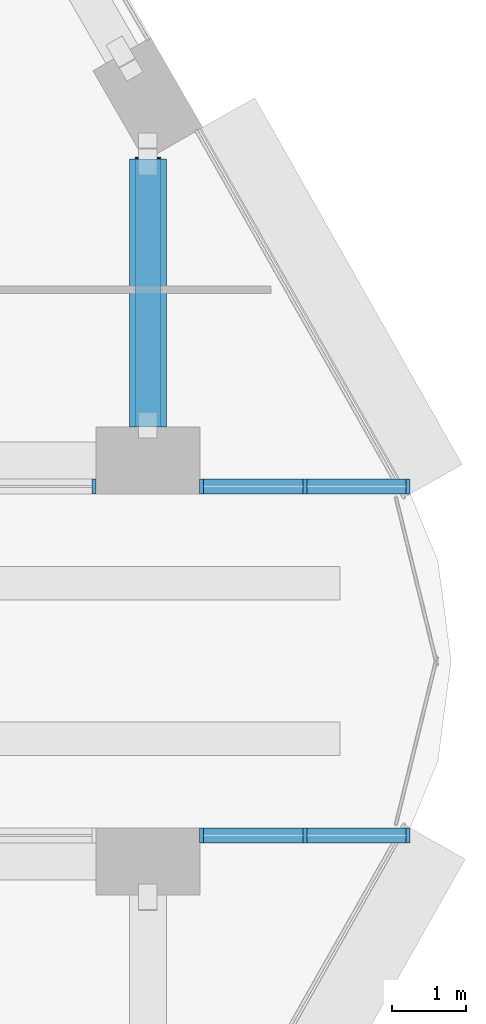
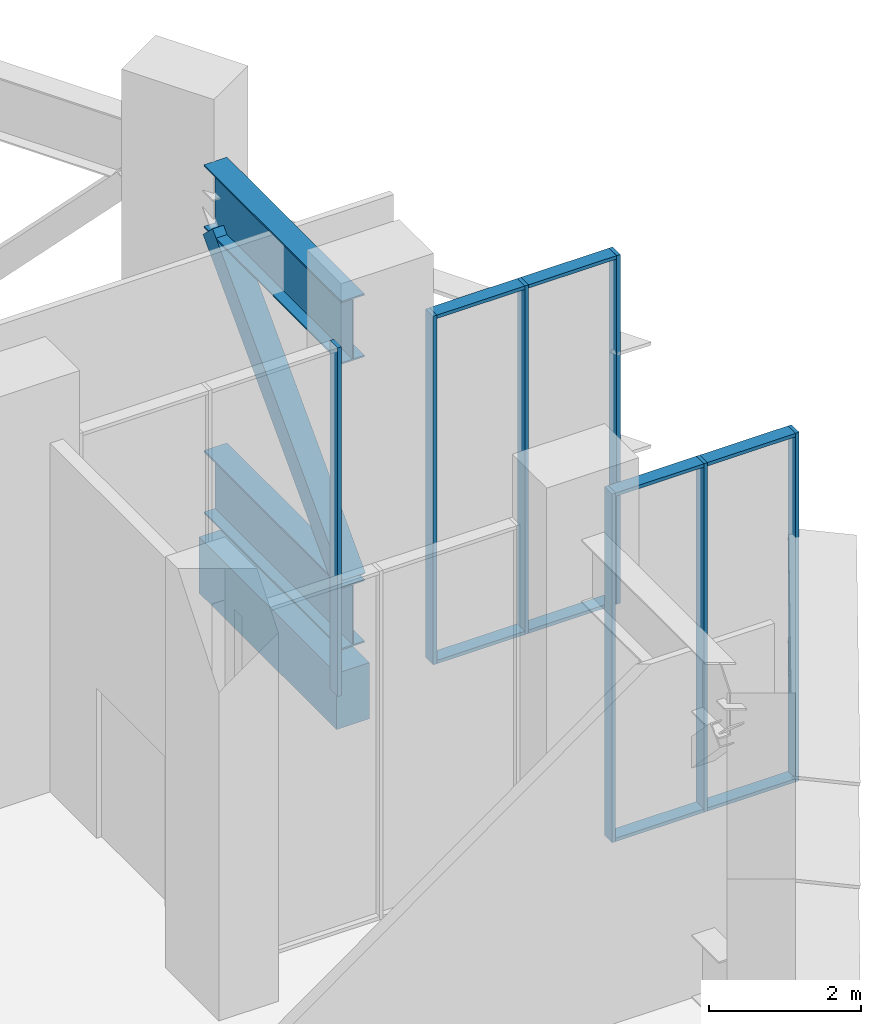
# One storey, part 5 of 21: 18 members, 1 beam, 3 elements without a shape of their own.
"""IFC4 building model written with IfcOpenShell, lengths in metres."""

import ifcopenshell
import ifcopenshell.guid

model = None  # the IFC model being written
_history = None  # IfcOwnerHistory: only IFC2X3 demands one
_inside = {}  # id of a spatial element -> (the spatial element, [elements in it])
_under = {}  # id of a project, library or spatial element -> (it, [spatial elements below it])
_declared = {}  # id of a project -> (the project, [libraries it declares])
_typed = {}  # id of a type object -> (the type object, [elements of that type])
_made_of = {}  # id of a material, layer set ... -> (it, [elements and type objects made of it])


def new_model(schema):
    """Start an empty IFC model of exactly this schema.

    Asked for "IFC4X3", IfcOpenShell would pick the latest addendum, in which some entities
    have other attributes; the version numbers below select the first issue.
    IFC2X3 requires an IfcOwnerHistory on every rooted entity: one is made here for all.
    """
    global model, _history
    if schema == "IFC4X3":
        model = ifcopenshell.file(schema_version=(4, 3, 0, 0))
    else:
        model = ifcopenshell.file(schema=schema)
    _inside.clear()
    _under.clear()
    _declared.clear()
    _typed.clear()
    _made_of.clear()
    _history = None
    if model.schema == "IFC2X3":
        org = make("IfcOrganization", Name="unknown")
        user = make(
            "IfcPersonAndOrganization",
            ThePerson=make("IfcPerson", FamilyName="unknown"),
            TheOrganization=org,
        )
        app = make(
            "IfcApplication",
            ApplicationDeveloper=org,
            Version="unknown",
            ApplicationFullName="unknown",
            ApplicationIdentifier="unknown",
        )
        _history = make(
            "IfcOwnerHistory",
            OwningUser=user,
            OwningApplication=app,
            ChangeAction="ADDED",
            CreationDate=0,
        )
    return model


def make(cls, **values):
    """One entity of the class cls with the attributes given. An attribute that is None is left unset."""
    return model.create_entity(
        cls, **{name: value for name, value in values.items() if value is not None}
    )


def rooted(cls, **values):
    """An entity with a GlobalId (a new one), such as an element, a storey or a relation."""
    return make(cls, GlobalId=ifcopenshell.guid.new(), OwnerHistory=_history, **values)


def si_unit(unit_type, name, prefix=None):
    """IfcSIUnit, for example si_unit("LENGTHUNIT", "METRE", prefix="MILLI")."""
    return make("IfcSIUnit", UnitType=unit_type, Prefix=prefix, Name=name)


def assignment(units):
    """IfcUnitAssignment: the units of a project."""
    return None if units is None else make("IfcUnitAssignment", Units=units)


def point(xyz):
    """IfcCartesianPoint."""
    return None if xyz is None else make("IfcCartesianPoint", Coordinates=xyz)


def direction(xyz):
    """IfcDirection."""
    return None if xyz is None else make("IfcDirection", DirectionRatios=xyz)


def frame(location, z_axis=None, x_axis=None):
    """IfcAxis2Placement3D, a coordinate frame: its origin and axes. An axis left out is left unset."""
    return make(
        "IfcAxis2Placement3D",
        Location=point(location),
        Axis=direction(z_axis),
        RefDirection=direction(x_axis),
    )


def frame_2d(location, x_axis=None):
    """IfcAxis2Placement2D, a coordinate frame in the plane: its origin and x axis."""
    return make(
        "IfcAxis2Placement2D", Location=point(location), RefDirection=direction(x_axis)
    )


def origin():
    """The frame at (0, 0, 0) with its axes left unset."""
    return frame((0.0, 0.0, 0.0))


def origin_2d():
    """The frame at (0, 0) in the plane with its x axis left unset."""
    return frame_2d((0.0, 0.0))


def place(relative_to, where):
    """IfcLocalPlacement: puts the frame where relative to a parent placement (None: the world)."""
    return make(
        "IfcLocalPlacement", PlacementRelTo=relative_to, RelativePlacement=where
    )


def context(
    kind, dimensions, precision=None, world=None, true_north=None, identifier=None
):
    """IfcGeometricRepresentationContext, for example the 3D "Model" context."""
    return make(
        "IfcGeometricRepresentationContext",
        ContextIdentifier=identifier,
        ContextType=kind,
        CoordinateSpaceDimension=dimensions,
        Precision=precision,
        WorldCoordinateSystem=world,
        TrueNorth=true_north,
    )


def subcontext(parent, identifier, kind, view, scale=None):
    """IfcGeometricRepresentationSubContext, for example "Body" below "Model"."""
    return make(
        "IfcGeometricRepresentationSubContext",
        ContextIdentifier=identifier,
        ContextType=kind,
        ParentContext=parent,
        TargetScale=scale,
        TargetView=view,
    )


def project(units=None, contexts=None):
    """IfcProject with its units and contexts."""
    return rooted(
        "IfcProject",
        Name="project",
        RepresentationContexts=contexts,
        UnitsInContext=assignment(units),
    )


def spatial(cls, under=None, at=None, **own):
    """A site, building, storey or space (cls), placed at a placement, below another one or the project."""
    s = rooted(cls, ObjectPlacement=at, **own)
    if under is not None:
        _under.setdefault(under.id(), (under, []))[1].append(s)
    return s


def profile(cls, at=None, kind="AREA", **sizes):
    """A parametric profile (cls). Its sizes go by their IFC names, for example OverallWidth=200.0."""
    return make(cls, ProfileType=kind, Position=at, **sizes)


def rectangle(**sizes):
    """IfcRectangleProfileDef."""
    return profile("IfcRectangleProfileDef", **sizes)


def hollow_rectangle(**sizes):
    """IfcRectangleHollowProfileDef."""
    return profile("IfcRectangleHollowProfileDef", **sizes)


def i_section(**sizes):
    """IfcIShapeProfileDef."""
    return profile("IfcIShapeProfileDef", **sizes)


def extrude(swept, where, along, depth):
    """IfcExtrudedAreaSolid: the profile swept, set in the frame where, extruded along a direction by depth."""
    return make(
        "IfcExtrudedAreaSolid",
        SweptArea=swept,
        Position=where,
        ExtrudedDirection=direction(along),
        Depth=depth,
    )


def shape(context_of_items, identifier, shape_type, items):
    """IfcShapeRepresentation: the items that make up one representation, for example the "Body"."""
    return make(
        "IfcShapeRepresentation",
        ContextOfItems=context_of_items,
        RepresentationIdentifier=identifier,
        RepresentationType=shape_type,
        Items=items,
    )


def material(Name=None, Category=None):
    """IfcMaterial."""
    return make("IfcMaterial", Name=Name, Category=Category)


def layer(
    of_material, thickness, ventilated=None, Name=None, Category=None, Priority=None
):
    """IfcMaterialLayer: one layer of a wall or slab, of a material (None: an air gap)."""
    return make(
        "IfcMaterialLayer",
        Material=of_material,
        LayerThickness=thickness,
        IsVentilated=ventilated,
        Name=Name,
        Category=Category,
        Priority=Priority,
    )


def layer_set(layers, Name=None):
    """IfcMaterialLayerSet."""
    return make("IfcMaterialLayerSet", MaterialLayers=layers, LayerSetName=Name)


def material_profile(
    of_material, cross_section, Name=None, Category=None, Priority=None
):
    """IfcMaterialProfile: a cross section and its material."""
    return make(
        "IfcMaterialProfile",
        Name=Name,
        Material=of_material,
        Profile=cross_section,
        Priority=Priority,
        Category=Category,
    )


def profile_set(profiles, Name=None, composite=None):
    """IfcMaterialProfileSet."""
    return make(
        "IfcMaterialProfileSet",
        Name=Name,
        MaterialProfiles=profiles,
        CompositeProfile=composite,
    )


def made_of(thing, what):
    """Note that an element or type object is made of a material, layer set ...; save() writes the relation."""
    if what is not None:
        _made_of.setdefault(what.id(), (what, []))[1].append(thing)
    return thing


def type_object(cls, material=None, **own):
    """A type object (cls), such as IfcWallType, which elements share."""
    return made_of(rooted(cls, **own), material)


def element(
    cls,
    number,
    at=None,
    inside=None,
    cuts=None,
    type_object=None,
    material=None,
    context=None,
    identifier="Body",
    shape_type=None,
    held_by="IfcProductDefinitionShape",
    body=None,
    shapes=None,
    **own,
):
    """One element of the class cls, such as IfcWall. Its Tag is "e" and its number.

    at: its placement. inside: the storey or other place that contains it. cuts: it is an
    opening in that element (IfcRelVoidsElement). A single representation is given by context,
    identifier, shape_type and body (its items); several are given by shapes. held_by: the class
    of the entity that holds the representations. save() writes the other relations.
    """
    e = rooted(cls, Tag="e%d" % number, ObjectPlacement=at, **own)
    if body is not None:
        shapes = [shape(context, identifier, shape_type, body)]
    if shapes is not None:
        e.Representation = make(held_by, Representations=shapes)
    if inside is not None:
        _inside.setdefault(inside.id(), (inside, []))[1].append(e)
    if cuts is not None:
        rooted(
            "IfcRelVoidsElement", RelatingBuildingElement=cuts, RelatedOpeningElement=e
        )
    if type_object is not None:
        _typed.setdefault(type_object.id(), (type_object, []))[1].append(e)
    return made_of(e, material)


def aggregate(whole, parts):
    """IfcRelAggregates: a whole, such as a stair, and the parts it consists of."""
    return rooted("IfcRelAggregates", RelatingObject=whole, RelatedObjects=parts)


def save(model, path):
    """Write the relations noted so far, then the file.

    IfcRelAggregates (storeys below a building ...), IfcRelContainedInSpatialStructure (elements
    in a storey), IfcRelDefinesByType, IfcRelAssociatesMaterial and IfcRelDeclares: one each for
    every whole, place, type object, material and project.
    """
    for whole, parts in _under.values():
        aggregate(whole, parts)
    for where, things in _inside.values():
        rooted(
            "IfcRelContainedInSpatialStructure",
            RelatedElements=things,
            RelatingStructure=where,
        )
    for kind, things in _typed.values():
        rooted("IfcRelDefinesByType", RelatedObjects=things, RelatingType=kind)
    for what, things in _made_of.values():
        rooted("IfcRelAssociatesMaterial", RelatedObjects=things, RelatingMaterial=what)
    for by, libraries in _declared.values():
        rooted("IfcRelDeclares", RelatingContext=by, RelatedDefinitions=libraries)
    model.write(path)


model = new_model("IFC4")

# Units and contexts
model_context = context("Model", 3, precision=1e-05, world=origin(), true_north=direction((0.0, 1.0)))
body_context = subcontext(model_context, "Body", "Model", "MODEL_VIEW")
ifc_project = project(units=[si_unit("LENGTHUNIT", "METRE"), si_unit("AREAUNIT", "SQUARE_METRE"), si_unit("VOLUMEUNIT", "CUBIC_METRE"), si_unit("PLANEANGLEUNIT", "RADIAN"), si_unit("MASSUNIT", "GRAM", prefix="KILO")], contexts=[model_context])

# Site, building, storey
site_placement = place(None, origin())
site = spatial("IfcSite", under=ifc_project, at=site_placement, CompositionType="ELEMENT")
building_placement = place(site_placement, origin())
building = spatial("IfcBuilding", under=site, at=building_placement, Name="Nakaniwa Court", CompositionType="ELEMENT")
storey_placement = place(building_placement, frame((0.0, 0.0, 120.60009765625)))
storey = spatial("IfcBuildingStorey", under=building, at=storey_placement, Name="S2", CompositionType="ELEMENT", Elevation=120.60009765625)

# Curtain wall, member
ifc_material_1 = material(Name="Black anodised aluminium frame with dark low-E laminated double glazing", Category="aluminium")
ifc_layer = layer(ifc_material_1, 0.199951171875)
ifc_layer_set = layer_set([ifc_layer], Name="Black anodised aluminium frame with dark low-E laminated double glazing")
curtain_wall_type = type_object("IfcCurtainWallType", Name="Amenity and sky level curtain wall", PredefinedType="NOTDEFINED", material=ifc_layer_set)
curtain_wall_1_placement = place(storey_placement, origin())
curtain_wall_1 = element("IfcCurtainWall", 1, at=curtain_wall_1_placement, inside=storey, type_object=curtain_wall_type, Name="S2 curtain wall CW3 00", PredefinedType="NOTDEFINED")
ifc_material_2 = material(Name="Black anodised aluminium extrusion", Category="aluminium")
ifc_material_profile_1 = material_profile(ifc_material_2, rectangle(XDim=0.199951171875, YDim=0.054931640625, at=origin_2d()), Name="Amenity and sky level curtain wall mullion 55x200")
ifc_profile_set_1 = profile_set([ifc_material_profile_1], Name="Black anodised aluminium extrusion")
member_type_1 = type_object("IfcMemberType", Name="Amenity and sky level curtain wall mullion 55x200", PredefinedType="MULLION", material=ifc_profile_set_1)
member_1_placement = place(storey_placement, frame((102.099365234375, 82.35009765625, 0.0), z_axis=(0.0, 0.0, 1.0), x_axis=(0.0, 1.0, 0.0)))
member_1 = element("IfcMember", 2, at=member_1_placement, type_object=member_type_1, Name="CW3 mullion 3", PredefinedType="MULLION", context=body_context, shape_type="SweptSolid", body=[
    extrude(rectangle(XDim=0.199951171875, YDim=0.054931640625, at=origin_2d()), origin(), (0.0, 0.0, 1.0), 5.58984375),
])
aggregate(curtain_wall_1, [member_1])

# Curtain wall, members
curtain_wall_2_placement = place(storey_placement, origin())
curtain_wall_2 = element("IfcCurtainWall", 3, at=curtain_wall_2_placement, inside=storey, type_object=curtain_wall_type, Name="S2 curtain wall CW3 01", PredefinedType="NOTDEFINED")
member_2_placement = place(storey_placement, frame((103.54638671875, 82.35009765625, 0.0), z_axis=(0.0, 0.0, 1.0), x_axis=(0.0, 1.0, 0.0)))
member_2 = element("IfcMember", 4, at=member_2_placement, type_object=member_type_1, Name="CW3 mullion 1", PredefinedType="MULLION", context=body_context, shape_type="SweptSolid", body=[
    extrude(rectangle(XDim=0.199951171875, YDim=0.054931640625, at=origin_2d()), origin(), (0.0, 0.0, 1.0), 5.58984375),
])
member_3_placement = place(storey_placement, frame((104.937744140625, 82.35009765625, 0.0), z_axis=(0.0, 0.0, 1.0), x_axis=(0.0, 1.0, 0.0)))
member_3 = element("IfcMember", 5, at=member_3_placement, type_object=member_type_1, Name="CW3 mullion 2", PredefinedType="MULLION", context=body_context, shape_type="SweptSolid", body=[
    extrude(rectangle(XDim=0.199951171875, YDim=0.054931640625, at=origin_2d()), origin(), (0.0, 0.0, 1.0), 5.58984375),
])
member_4_placement = place(storey_placement, frame((106.3291015625, 82.35009765625, 0.0), z_axis=(0.0, 0.0, 1.0), x_axis=(0.0, 1.0, 0.0)))
member_4 = element("IfcMember", 6, at=member_4_placement, type_object=member_type_1, Name="CW3 mullion 3", PredefinedType="MULLION", context=body_context, shape_type="SweptSolid", body=[
    extrude(rectangle(XDim=0.199951171875, YDim=0.054931640625, at=origin_2d()), origin(), (0.0, 0.0, 1.0), 5.58984375),
])

curtain_wall_3_placement = place(storey_placement, origin())
curtain_wall_3 = element("IfcCurtainWall", 7, at=curtain_wall_3_placement, inside=storey, type_object=curtain_wall_type, Name="S2 curtain wall CW3 33", PredefinedType="NOTDEFINED")
member_5_placement = place(storey_placement, frame((106.3291015625, 77.64990234375, 0.0), z_axis=(0.0, 0.0, 1.0), x_axis=(0.0, -1.0, 0.0)))
member_5 = element("IfcMember", 8, at=member_5_placement, type_object=member_type_1, Name="CW3 mullion 1", PredefinedType="MULLION", context=body_context, shape_type="SweptSolid", body=[
    extrude(rectangle(XDim=0.199951171875, YDim=0.054931640625, at=origin_2d()), origin(), (0.0, 0.0, 1.0), 5.58984375),
])
member_6_placement = place(storey_placement, frame((104.937744140625, 77.64990234375, 0.0), z_axis=(0.0, 0.0, 1.0), x_axis=(0.0, -1.0, 0.0)))
member_6 = element("IfcMember", 9, at=member_6_placement, type_object=member_type_1, Name="CW3 mullion 2", PredefinedType="MULLION", context=body_context, shape_type="SweptSolid", body=[
    extrude(rectangle(XDim=0.199951171875, YDim=0.054931640625, at=origin_2d()), origin(), (0.0, 0.0, 1.0), 5.58984375),
])
member_7_placement = place(storey_placement, frame((103.54638671875, 77.64990234375, 0.0), z_axis=(0.0, 0.0, 1.0), x_axis=(0.0, -1.0, 0.0)))
member_7 = element("IfcMember", 10, at=member_7_placement, type_object=member_type_1, Name="CW3 mullion 3", PredefinedType="MULLION", context=body_context, shape_type="SweptSolid", body=[
    extrude(rectangle(XDim=0.199951171875, YDim=0.054931640625, at=origin_2d()), origin(), (0.0, 0.0, 1.0), 5.58984375),
])

# Member
ifc_material_profile_2 = material_profile(ifc_material_2, rectangle(XDim=0.199951171875, YDim=0.054931640625, at=origin_2d()), Name="Amenity and sky level curtain wall transom 55x200")
ifc_profile_set_2 = profile_set([ifc_material_profile_2], Name="Black anodised aluminium extrusion")
member_type_2 = type_object("IfcMemberType", Name="Amenity and sky level curtain wall transom 55x200", PredefinedType="USERDEFINED", material=ifc_profile_set_2)
member_8_placement = place(storey_placement, frame((103.573974609375, 82.35009765625, 0.02734375), z_axis=(1.0, 0.0, 0.0), x_axis=(0.0, 1.0, 0.0)))
member_8 = element("IfcMember", 11, at=member_8_placement, type_object=member_type_2, Name="CW3 transom 1.1", ObjectType="TRANSOM", PredefinedType="USERDEFINED", context=body_context, shape_type="SweptSolid", body=[
    extrude(rectangle(XDim=0.199951171875, YDim=0.054931640625, at=origin_2d()), origin(), (0.0, 0.0, 1.0), 1.33642578125),
])

member_9_placement = place(storey_placement, frame((103.573974609375, 82.35009765625, 5.5625), z_axis=(1.0, 0.0, 0.0), x_axis=(0.0, 1.0, 0.0)))
member_9 = element("IfcMember", 12, at=member_9_placement, type_object=member_type_2, Name="CW3 transom 1.2", ObjectType="TRANSOM", PredefinedType="USERDEFINED", context=body_context, shape_type="SweptSolid", body=[
    extrude(rectangle(XDim=0.199951171875, YDim=0.054931640625, at=origin_2d()), origin(), (0.0, 0.0, 1.0), 1.33642578125),
])

member_10_placement = place(storey_placement, frame((104.96533203125, 82.35009765625, 0.02734375), z_axis=(1.0, 0.0, 0.0), x_axis=(0.0, 1.0, 0.0)))
member_10 = element("IfcMember", 13, at=member_10_placement, type_object=member_type_2, Name="CW3 transom 2.1", ObjectType="TRANSOM", PredefinedType="USERDEFINED", context=body_context, shape_type="SweptSolid", body=[
    extrude(rectangle(XDim=0.199951171875, YDim=0.054931640625, at=origin_2d()), origin(), (0.0, 0.0, 1.0), 1.33642578125),
])

member_11_placement = place(storey_placement, frame((104.96533203125, 82.35009765625, 5.5625), z_axis=(1.0, 0.0, 0.0), x_axis=(0.0, 1.0, 0.0)))
member_11 = element("IfcMember", 14, at=member_11_placement, type_object=member_type_2, Name="CW3 transom 2.2", ObjectType="TRANSOM", PredefinedType="USERDEFINED", context=body_context, shape_type="SweptSolid", body=[
    extrude(rectangle(XDim=0.199951171875, YDim=0.054931640625, at=origin_2d()), origin(), (0.0, 0.0, 1.0), 1.33642578125),
])

aggregate(curtain_wall_2, [member_2, member_3, member_4, member_8, member_9, member_10, member_11])

member_12_placement = place(storey_placement, frame((106.3017578125, 77.64990234375, 0.02734375), z_axis=(-1.0, 0.0, 0.0), x_axis=(0.0, -1.0, 0.0)))
member_12 = element("IfcMember", 15, at=member_12_placement, type_object=member_type_2, Name="CW3 transom 1.1", ObjectType="TRANSOM", PredefinedType="USERDEFINED", context=body_context, shape_type="SweptSolid", body=[
    extrude(rectangle(XDim=0.199951171875, YDim=0.054931640625, at=origin_2d()), origin(), (0.0, 0.0, 1.0), 1.33642578125),
])

member_13_placement = place(storey_placement, frame((106.3017578125, 77.64990234375, 5.5625), z_axis=(-1.0, 0.0, 0.0), x_axis=(0.0, -1.0, 0.0)))
member_13 = element("IfcMember", 16, at=member_13_placement, type_object=member_type_2, Name="CW3 transom 1.2", ObjectType="TRANSOM", PredefinedType="USERDEFINED", context=body_context, shape_type="SweptSolid", body=[
    extrude(rectangle(XDim=0.199951171875, YDim=0.054931640625, at=origin_2d()), origin(), (0.0, 0.0, 1.0), 1.33642578125),
])

member_14_placement = place(storey_placement, frame((104.910400390625, 77.64990234375, 0.02734375), z_axis=(-1.0, 0.0, 0.0), x_axis=(0.0, -1.0, 0.0)))
member_14 = element("IfcMember", 17, at=member_14_placement, type_object=member_type_2, Name="CW3 transom 2.1", ObjectType="TRANSOM", PredefinedType="USERDEFINED", context=body_context, shape_type="SweptSolid", body=[
    extrude(rectangle(XDim=0.199951171875, YDim=0.054931640625, at=origin_2d()), origin(), (0.0, 0.0, 1.0), 1.33642578125),
])

member_15_placement = place(storey_placement, frame((104.910400390625, 77.64990234375, 5.5625), z_axis=(-1.0, 0.0, 0.0), x_axis=(0.0, -1.0, 0.0)))
member_15 = element("IfcMember", 18, at=member_15_placement, type_object=member_type_2, Name="CW3 transom 2.2", ObjectType="TRANSOM", PredefinedType="USERDEFINED", context=body_context, shape_type="SweptSolid", body=[
    extrude(rectangle(XDim=0.199951171875, YDim=0.054931640625, at=origin_2d()), origin(), (0.0, 0.0, 1.0), 1.33642578125),
])

aggregate(curtain_wall_3, [member_5, member_6, member_7, member_12, member_13, member_14, member_15])

# Members
ifc_material_3 = material(Name="Steel Grade 350", Category="steel")
ifc_material_profile_3 = material_profile(ifc_material_3, i_section(OverallWidth=0.35009765625, OverallDepth=1.010009765625, WebThickness=0.01611328125, FlangeThickness=0.02490234375, at=origin_2d()), Name="1000WB258")
ifc_profile_set_3 = profile_set([ifc_material_profile_3], Name="Steel Grade 350")
member_type_3 = type_object("IfcMemberType", Name="BELT chord 1000 WB258", PredefinedType="CHORD", material=ifc_profile_set_3)
for number, where, z_axis, x_axis, name in (
    (19, (102.822998046875, 83.14990234375, 0.5048828125), (0.0, 1.0, 0.0), (-1.0, 0.0, 0.0), "BELT CHORD BT-17-B"),
    (20, (102.822998046875, 83.14990234375, 5.0849609375), (0.0, 1.0, 0.0), (-1.0, 0.0, 0.0), "BELT CHORD BT-17-T"),
):
    element("IfcMember", number, at=place(storey_placement, frame(where, z_axis=z_axis, x_axis=x_axis)), inside=storey, type_object=member_type_3, Name=name, PredefinedType="CHORD", context=body_context, shape_type="SweptSolid", body=[
        extrude(i_section(OverallWidth=0.35009765625, OverallDepth=1.010009765625, WebThickness=0.01611328125, FlangeThickness=0.02490234375, at=origin_2d()), origin(), (0.0, 0.0, 1.0), 3.611572265625),
    ])
ifc_material_profile_4 = material_profile(ifc_material_3, hollow_rectangle(XDim=0.35009765625, YDim=0.35009765625, WallThickness=0.01611328125, at=origin_2d()), Name="BELT diagonal 350x350x16 SHS")
ifc_profile_set_4 = profile_set([ifc_material_profile_4], Name="Steel Grade 350")
member_type_4 = type_object("IfcMemberType", Name="BELT diagonal 350x350x16 SHS", PredefinedType="BRACE", material=ifc_profile_set_4)
member_16_placement = place(storey_placement, frame((102.822998046875, 83.25, 1.010009765625), z_axis=(0.0, 0.690880170315, 0.722969287221), x_axis=(-1.0, 0.0, 0.0)))
element("IfcMember", 21, at=member_16_placement, inside=storey, type_object=member_type_4, Name="BELT DIAGONAL BT-17-D", PredefinedType="BRACE", context=body_context, shape_type="SweptSolid", body=[
    extrude(hollow_rectangle(XDim=0.35009765625, YDim=0.35009765625, WallThickness=0.01611328125, at=origin_2d()), origin(), (0.0, 0.0, 1.0), 4.937744140625),
])

# Beam
ifc_material_4 = material(Name="Concrete C80/100", Category="concrete")
ifc_material_profile_5 = material_profile(ifc_material_4, rectangle(XDim=0.5, YDim=0.89990234375, at=origin_2d()), Name="Concrete C80/100 RC 500x900 spandrel beam")
ifc_profile_set_5 = profile_set([ifc_material_profile_5], Name="Concrete C80/100")
beam_type = type_object("IfcBeamType", Name="Concrete C80/100 RC 500x900 spandrel beam", PredefinedType="BEAM", material=ifc_profile_set_5)
beam_placement = place(storey_placement, frame((102.822998046875, 83.14990234375, -0.800048828125), z_axis=(0.0, 1.0, 0.0), x_axis=(-1.0, 0.0, 0.0)))
element("IfcBeam", 22, at=beam_placement, inside=storey, type_object=beam_type, Name="SPANDREL BEAM", PredefinedType="BEAM", context=body_context, shape_type="SweptSolid", body=[
    extrude(rectangle(XDim=0.5, YDim=0.89990234375, at=origin_2d()), origin(), (0.0, 0.0, 1.0), 3.611572265625),
])

save(model, "model.ifc")
